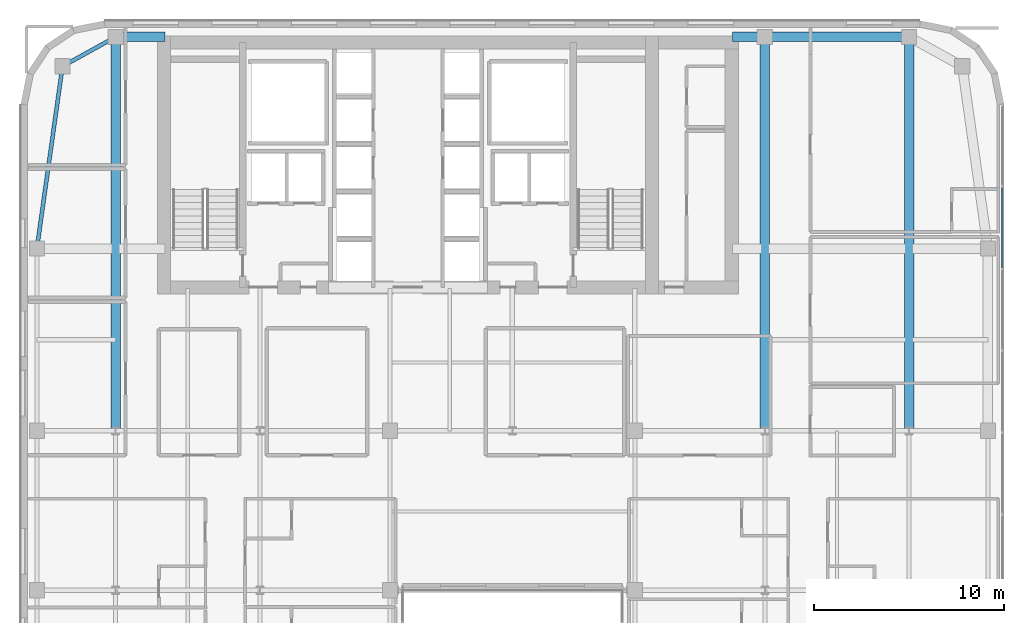
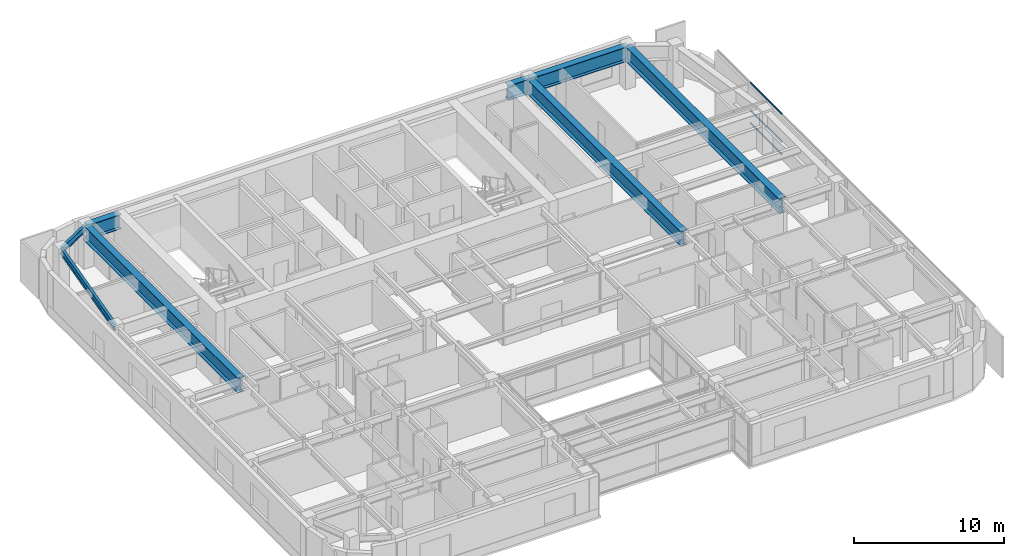
# One storey, part 11 of 26: 8 beams, 3 members, 1 element without a shape of its own.
"""IFC4 building model written with IfcOpenShell, lengths in metres."""

from ifc_helpers import new_model, si_unit, direction, frame, origin, origin_2d, place, context, subcontext, project, spatial, hollow_rectangle, i_section, extrude, source, transform, mapped, material, layer, layer_set, material_profile, profile_set, type_object, type_shapes, element, aggregate, save


model = new_model("IFC4")

# Units and contexts
model_context = context("Model", 3, precision=1e-05, world=origin(), true_north=direction((0.0, 1.0)))
body_context = subcontext(model_context, "Body", "Model", "MODEL_VIEW")
ifc_project = project(units=[si_unit("LENGTHUNIT", "METRE"), si_unit("AREAUNIT", "SQUARE_METRE"), si_unit("VOLUMEUNIT", "CUBIC_METRE"), si_unit("PLANEANGLEUNIT", "RADIAN"), si_unit("MASSUNIT", "GRAM", prefix="KILO")], contexts=[model_context])

# Site, building, storey
site_placement = place(None, origin())
site = spatial("IfcSite", under=ifc_project, at=site_placement, CompositionType="ELEMENT")
building_placement = place(site_placement, origin())
building = spatial("IfcBuilding", under=site, at=building_placement, Name="Tolvann Quenvar Hotel", CompositionType="ELEMENT")
storey_placement = place(building_placement, frame((0.0, 0.0, 168.35009765625)))
storey = spatial("IfcBuildingStorey", under=building, at=storey_placement, Name="L44", CompositionType="ELEMENT", Elevation=168.35009765625)

# Beams
ifc_material_1 = material(Name="Steel Grade 350", Category="steel")
ifc_material_profile_1 = material_profile(ifc_material_1, i_section(OverallWidth=0.5, OverallDepth=1.199951171875, WebThickness=0.01611328125, FlangeThickness=0.0400390625, at=origin_2d()), Name="1200WB455")
ifc_profile_set_1 = profile_set([ifc_material_profile_1], Name="Steel Grade 350")
beam_type_1 = type_object("IfcBeamType", Name="BM_TG_1200WB455", PredefinedType="USERDEFINED", material=ifc_profile_set_1)
shared_shape_1 = source(origin(), body_context, "Body", "SweptSolid", [
    extrude(i_section(OverallWidth=0.5, OverallDepth=1.199951171875, WebThickness=0.01611328125, FlangeThickness=0.0400390625, at=origin_2d()), origin(), (0.0, 0.0, 1.0), 7.599853515625),
])
beam_1_placement = place(storey_placement, frame((49.39990234375, 45.14990234375, 2.77001953125), z_axis=(-1.0, 0.0, 0.0), x_axis=(0.0, -1.0, 0.0)))
element("IfcBeam", 1, at=beam_1_placement, inside=storey, type_object=beam_type_1, Name="BM-L44-FLK-E4", ObjectType="TRANSFER GIRDER", PredefinedType="USERDEFINED", context=body_context, shape_type="MappedRepresentation", body=[
    mapped(shared_shape_1, transform((0.0, 0.0, 0.0), x_axis=(1.0, 0.0, 0.0), y_axis=(0.0, 1.0, 0.0), z_axis=(0.0, 0.0, 1.0), scale=1.0)),
])
shared_shape_2 = source(origin(), body_context, "Body", "SweptSolid", [
    extrude(i_section(OverallWidth=0.5, OverallDepth=1.199951171875, WebThickness=0.01611328125, FlangeThickness=0.0400390625, at=origin_2d()), origin(), (0.0, 0.0, 1.0), 20.75),
])
for number, where, z_axis, x_axis, name in (
    (2, (7.60009765625, 24.39990234375, 2.77001953125), (0.0, 1.0, 0.0), (-1.0, 0.0, 0.0), "BM-L44-FLK-WC"),
    (3, (41.800048828125, 24.39990234375, 2.77001953125), (0.0, 1.0, 0.0), (-1.0, 0.0, 0.0), "BM-L44-FLK-EH"),
    (4, (49.39990234375, 24.39990234375, 2.77001953125), (0.0, 1.0, 0.0), (-1.0, 0.0, 0.0), "BM-L44-FLK-EI"),
):
    element("IfcBeam", number, at=place(storey_placement, frame(where, z_axis=z_axis, x_axis=x_axis)), inside=storey, type_object=beam_type_1, Name=name, ObjectType="TRANSFER GIRDER", PredefinedType="USERDEFINED", context=body_context, shape_type="MappedRepresentation", body=[
        mapped(shared_shape_2, transform((0.0, 0.0, 0.0), x_axis=(1.0, 0.0, 0.0), y_axis=(0.0, 1.0, 0.0), z_axis=(0.0, 0.0, 1.0), scale=1.0)),
    ])
shared_shape_3 = source(origin(), body_context, "Body", "SweptSolid", [
    extrude(i_section(OverallWidth=0.5, OverallDepth=1.199951171875, WebThickness=0.01611328125, FlangeThickness=0.0400390625, at=origin_2d()), origin(), (0.0, 0.0, 1.0), 2.599853515625),
])
beam_2_placement = place(storey_placement, frame((7.60009765625, 45.14990234375, 2.77001953125), z_axis=(1.0, 0.0, 0.0), x_axis=(0.0, 1.0, 0.0)))
element("IfcBeam", 5, at=beam_2_placement, inside=storey, type_object=beam_type_1, Name="BM-L44-CTW-CN", ObjectType="TRANSFER GIRDER", PredefinedType="USERDEFINED", context=body_context, shape_type="MappedRepresentation", body=[
    mapped(shared_shape_3, transform((0.0, 0.0, 0.0), x_axis=(1.0, 0.0, 0.0), y_axis=(0.0, 1.0, 0.0), z_axis=(0.0, 0.0, 1.0), scale=1.0)),
])
shared_shape_4 = source(origin(), body_context, "Body", "SweptSolid", [
    extrude(i_section(OverallWidth=0.5, OverallDepth=1.199951171875, WebThickness=0.01611328125, FlangeThickness=0.0400390625, at=origin_2d()), origin(), (0.0, 0.0, 1.0), 1.699951171875),
])
type_shapes(beam_type_1, [shared_shape_1, shared_shape_2, shared_shape_3, shared_shape_4])
beam_3_placement = place(storey_placement, frame((40.10009765625, 45.14990234375, 2.77001953125), z_axis=(1.0, 0.0, 0.0), x_axis=(0.0, 1.0, 0.0)))
element("IfcBeam", 6, at=beam_3_placement, inside=storey, type_object=beam_type_1, Name="BM-L44-CTE-HN", ObjectType="TRANSFER GIRDER", PredefinedType="USERDEFINED", context=body_context, shape_type="MappedRepresentation", body=[
    mapped(shared_shape_4, transform((0.0, 0.0, 0.0), x_axis=(1.0, 0.0, 0.0), y_axis=(0.0, 1.0, 0.0), z_axis=(0.0, 0.0, 1.0), scale=1.0)),
])
ifc_material_profile_2 = material_profile(ifc_material_1, i_section(OverallWidth=0.208984375, OverallDepth=0.528076171875, WebThickness=0.009521484375, FlangeThickness=0.01318359375, FilletRadius=0.013916015625, at=origin_2d()), Name="530UB82")
ifc_profile_set_2 = profile_set([ifc_material_profile_2], Name="Steel Grade 350")
beam_type_2 = type_object("IfcBeamType", Name="BM_SPAND_530UB82", PredefinedType="SPANDREL", material=ifc_profile_set_2)
shared_shape_5 = source(origin(), body_context, "Body", "SweptSolid", [
    extrude(i_section(OverallWidth=0.208984375, OverallDepth=0.528076171875, WebThickness=0.009521484375, FlangeThickness=0.01318359375, FilletRadius=0.013916015625, at=origin_2d()), origin(), (0.0, 0.0, 1.0), 9.694580078125),
])
beam_4_placement = place(storey_placement, frame((3.449951171875, 34.0, 3.10595703125), z_axis=(0.139263320262, 0.990255385055, 0.0), x_axis=(-0.990255385055, 0.139263320262, 0.0)))
element("IfcBeam", 7, at=beam_4_placement, inside=storey, type_object=beam_type_2, Name="BM-L44-FLK-W2", PredefinedType="SPANDREL", context=body_context, shape_type="MappedRepresentation", body=[
    mapped(shared_shape_5, transform((0.0, 0.0, 0.0), x_axis=(1.0, 0.0, 0.0), y_axis=(0.0, 1.0, 0.0), z_axis=(0.0, 0.0, 1.0), scale=1.0)),
])
shared_shape_6 = source(origin(), body_context, "Body", "SweptSolid", [
    extrude(i_section(OverallWidth=0.208984375, OverallDepth=0.528076171875, WebThickness=0.009521484375, FlangeThickness=0.01318359375, FilletRadius=0.013916015625, at=origin_2d()), origin(), (0.0, 0.0, 1.0), 3.200439453125),
])
type_shapes(beam_type_2, [shared_shape_5, shared_shape_6])
beam_5_placement = place(storey_placement, frame((4.800048828125, 43.60009765625, 3.10595703125), z_axis=(0.87492264453, 0.48426270359, 0.0), x_axis=(-0.48426270359, 0.87492264453, 0.0)))
element("IfcBeam", 8, at=beam_5_placement, inside=storey, type_object=beam_type_2, Name="BM-L44-FLK-W3", PredefinedType="SPANDREL", context=body_context, shape_type="MappedRepresentation", body=[
    mapped(shared_shape_6, transform((0.0, 0.0, 0.0), x_axis=(1.0, 0.0, 0.0), y_axis=(0.0, 1.0, 0.0), z_axis=(0.0, 0.0, 1.0), scale=1.0)),
])

# Curtain wall, members
ifc_material_2 = material(Name="Thermally broken anodised architectural aluminium 6063-T6 and laminated low-E glass", Category="aluminium")
ifc_layer = layer(ifc_material_2, 0.179931640625)
ifc_layer_set = layer_set([ifc_layer], Name="Thermally broken anodised architectural aluminium 6063-T6 and laminated low-E glass")
curtain_wall_type = type_object("IfcCurtainWallType", Name="CW_SYS_BAND_04", PredefinedType="USERDEFINED", material=ifc_layer_set)
curtain_wall_placement = place(storey_placement, origin())
curtain_wall = element("IfcCurtainWall", 9, at=curtain_wall_placement, inside=storey, type_object=curtain_wall_type, Name="Curtain Wall CW-BAND-04 (CWR-L44-E13)", ObjectType="UNITISED CURTAIN WALL", PredefinedType="USERDEFINED")
ifc_material_3 = material(Name="Anodised architectural aluminium 6063-T6 framing", Category="aluminium")
ifc_material_profile_3 = material_profile(ifc_material_3, hollow_rectangle(XDim=0.06005859375, YDim=0.1201171875, WallThickness=0.00341796875, at=origin_2d()), Name="120x60x3.5RHS")
ifc_profile_set_3 = profile_set([ifc_material_profile_3], Name="Anodised architectural aluminium 6063-T6 framing")
member_type = type_object("IfcMemberType", Name="CW_TRAN_120x60", PredefinedType="USERDEFINED", material=ifc_profile_set_3)
shared_shape_7 = source(origin(), body_context, "Body", "SweptSolid", [
    extrude(hollow_rectangle(XDim=0.06005859375, YDim=0.1201171875, WallThickness=0.00341796875, at=origin_2d()), origin(), (0.0, 0.0, 1.0), 4.250732421875),
])
type_shapes(member_type, [shared_shape_7])
member_1_placement = place(storey_placement, frame((54.31005859375, 32.976318359375, 0.02978515625), z_axis=(0.0, 1.0, 0.0), x_axis=(-1.0, 0.0, 0.0)))
member_1 = element("IfcMember", 10, at=member_1_placement, type_object=member_type, Name="CW-BAND-04 transom 7.1", ObjectType="TRANSOM", PredefinedType="USERDEFINED", context=body_context, shape_type="MappedRepresentation", body=[
    mapped(shared_shape_7, transform((0.0, 0.0, 0.0), x_axis=(1.0, 0.0, 0.0), y_axis=(0.0, 1.0, 0.0), z_axis=(0.0, 0.0, 1.0), scale=1.0)),
])
member_2_placement = place(storey_placement, frame((54.31005859375, 32.976318359375, 1.0498046875), z_axis=(0.0, 1.0, 0.0), x_axis=(-1.0, 0.0, 0.0)))
member_2 = element("IfcMember", 11, at=member_2_placement, type_object=member_type, Name="CW-BAND-04 transom 7.2", ObjectType="TRANSOM", PredefinedType="USERDEFINED", context=body_context, shape_type="MappedRepresentation", body=[
    mapped(shared_shape_7, transform((0.0, 0.0, 0.0), x_axis=(1.0, 0.0, 0.0), y_axis=(0.0, 1.0, 0.0), z_axis=(0.0, 0.0, 1.0), scale=1.0)),
])
member_3_placement = place(storey_placement, frame((54.31005859375, 32.976318359375, 3.33984375), z_axis=(0.0, 1.0, 0.0), x_axis=(-1.0, 0.0, 0.0)))
member_3 = element("IfcMember", 12, at=member_3_placement, type_object=member_type, Name="CW-BAND-04 transom 7.3", ObjectType="TRANSOM", PredefinedType="USERDEFINED", context=body_context, shape_type="MappedRepresentation", body=[
    mapped(shared_shape_7, transform((0.0, 0.0, 0.0), x_axis=(1.0, 0.0, 0.0), y_axis=(0.0, 1.0, 0.0), z_axis=(0.0, 0.0, 1.0), scale=1.0)),
])
aggregate(curtain_wall, [member_1, member_2, member_3])

save(model, "model.ifc")
